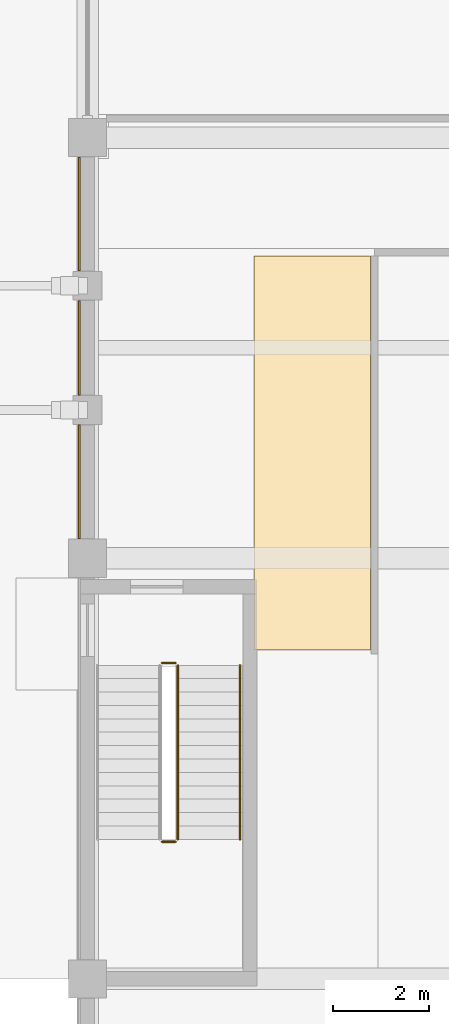
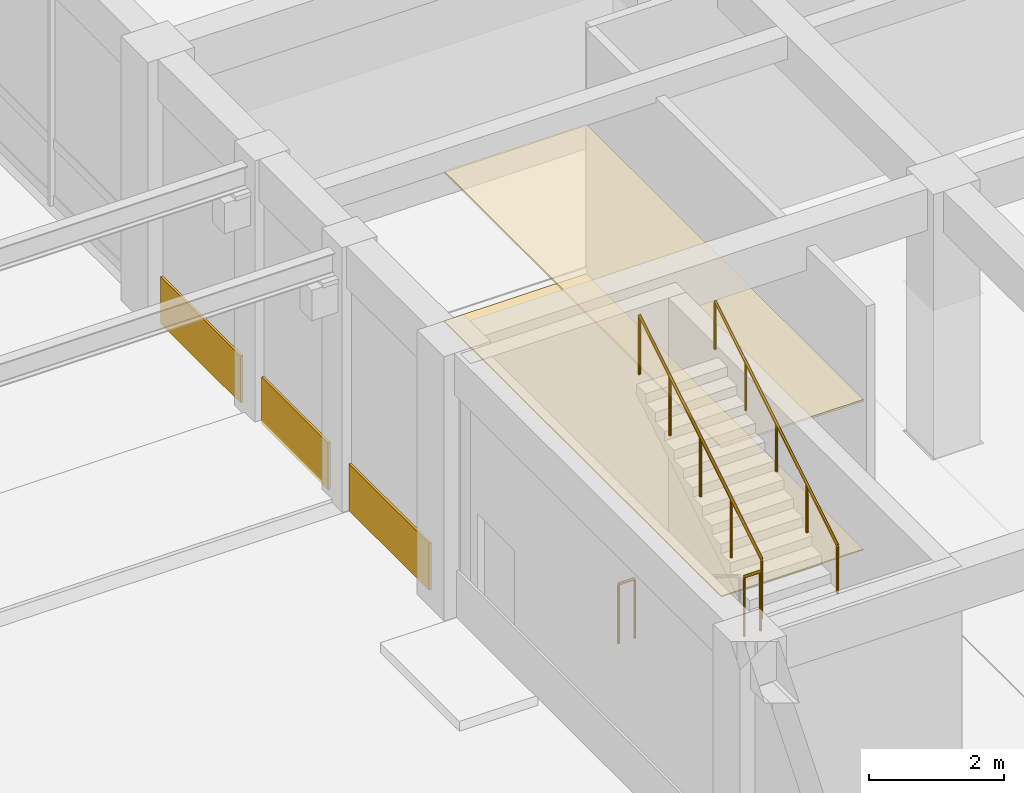
# One storey, part 54 of 58: 5 coverings, 4 railings.
"""IFC4 building model written with IfcOpenShell, lengths in metres."""

from ifc_helpers import new_model, si_unit, direction, frame, origin, origin_2d, place, context, subcontext, project, spatial, polyline, circle, outline, extrude, material, layer, layer_set, type_object, element, save


model = new_model("IFC4")

# Units and contexts
model_context = context("Model", 3, precision=1e-05, world=origin(), true_north=direction((0.0, 1.0)))
body_context = subcontext(model_context, "Body", "Model", "MODEL_VIEW")
ifc_project = project(units=[si_unit("LENGTHUNIT", "METRE"), si_unit("AREAUNIT", "SQUARE_METRE"), si_unit("VOLUMEUNIT", "CUBIC_METRE"), si_unit("PLANEANGLEUNIT", "RADIAN"), si_unit("MASSUNIT", "GRAM", prefix="KILO")], contexts=[model_context])

# Site, building, storey
site_placement = place(None, origin())
site = spatial("IfcSite", under=ifc_project, at=site_placement, CompositionType="ELEMENT")
building_placement = place(site_placement, origin())
building = spatial("IfcBuilding", under=site, at=building_placement, Name="Kemercrest Conservatory and Botanical Centre", CompositionType="ELEMENT")
storey_placement = place(building_placement, origin())
storey = spatial("IfcBuildingStorey", under=building, at=storey_placement, Name="L00", CompositionType="ELEMENT", Elevation=0.0)

# Coverings
ifc_material_1 = material(Name="Honed limestone almasik ashlar rainscreen", Category="masonry")
ifc_layer_1 = layer(ifc_material_1, 0.0400390625)
ifc_layer_set_1 = layer_set([ifc_layer_1], Name="Honed limestone almasik ashlar rainscreen")
covering_type_1 = type_object("IfcCoveringType", Name="CV-CLD040", PredefinedType="CLADDING", material=ifc_layer_set_1)
covering_1_placement = place(storey_placement, origin())
element("IfcCovering", 1, at=covering_1_placement, inside=storey, type_object=covering_type_1, Name="Exterior stone spandrel cladding (WAL:L00:EXT-171-S1)", PredefinedType="CLADDING", context=body_context, shape_type="SweptSolid", body=[
    extrude(outline(polyline([(125.449951171875, 104.389892578125), (125.409912109375, 104.389892578125), (125.409912109375, 102.010009765625), (125.449951171875, 102.010009765625), (125.449951171875, 104.389892578125)])), origin(), (0.0, 0.0, 1.0), 0.85009765625),
])
covering_2_placement = place(storey_placement, origin())
element("IfcCovering", 2, at=covering_2_placement, inside=storey, type_object=covering_type_1, Name="Exterior stone spandrel cladding (WAL:L00:EXT-171-S2)", PredefinedType="CLADDING", context=body_context, shape_type="SweptSolid", body=[
    extrude(outline(polyline([(125.449951171875, 101.389892578125), (125.409912109375, 101.389892578125), (125.409912109375, 99.409912109375), (125.449951171875, 99.409912109375), (125.449951171875, 101.389892578125)])), origin(), (0.0, 0.0, 1.0), 0.85009765625),
])
covering_3_placement = place(storey_placement, origin())
element("IfcCovering", 3, at=covering_3_placement, inside=storey, type_object=covering_type_1, Name="Exterior stone spandrel cladding (WAL:L00:EXT-171-S3)", PredefinedType="CLADDING", context=body_context, shape_type="SweptSolid", body=[
    extrude(outline(polyline([(125.449951171875, 98.7900390625), (125.409912109375, 98.7900390625), (125.409912109375, 96.409912109375), (125.449951171875, 96.409912109375), (125.449951171875, 98.7900390625)])), origin(), (0.0, 0.0, 1.0), 0.85009765625),
])
ifc_material_2 = material(Name="Perforated acoustic gypsum and mineral-fibre suspended ceiling", Category="gypsum")
ifc_layer_2 = layer(ifc_material_2, 0.034912109375)
ifc_layer_set_2 = layer_set([ifc_layer_2], Name="Perforated acoustic gypsum and mineral-fibre suspended ceiling")
covering_type_2 = type_object("IfcCoveringType", Name="CV-CLG035", PredefinedType="CEILING", material=ifc_layer_set_2)
covering_4_placement = place(storey_placement, frame((0.0, 0.0, 2.699951171875)))
element("IfcCovering", 4, at=covering_4_placement, inside=storey, type_object=covering_type_2, Name="West Stair Exit Lobby suspended acoustic ceiling", PredefinedType="CEILING", context=body_context, shape_type="SweptSolid", body=[
    extrude(outline(polyline([(129.080078125, 94.080078125), (131.52001953125, 94.080078125), (131.52001953125, 102.320068359375), (129.080078125, 102.320068359375), (129.080078125, 94.080078125)])), origin(), (0.0, 0.0, 1.0), 0.03515625),
])
ifc_material_3 = material(Name="Polished limestone terrazzo and seamless laboratory epoxy flooring", Category="masonry")
ifc_layer_3 = layer(ifc_material_3, 0.02001953125)
ifc_layer_set_3 = layer_set([ifc_layer_3], Name="Polished limestone terrazzo and seamless laboratory epoxy flooring")
covering_type_3 = type_object("IfcCoveringType", Name="CV-FLR020", PredefinedType="FLOORING", material=ifc_layer_set_3)
covering_5_placement = place(storey_placement, origin())
element("IfcCovering", 5, at=covering_5_placement, inside=storey, type_object=covering_type_3, Name="West Stair Exit Lobby floor finish", PredefinedType="FLOORING", context=body_context, shape_type="SweptSolid", body=[
    extrude(outline(polyline([(129.080078125, 94.080078125), (131.52001953125, 94.080078125), (131.52001953125, 102.320068359375), (129.080078125, 102.320068359375), (129.080078125, 94.080078125)])), origin(), (0.0, 0.0, 1.0), 0.02001953125),
])

# Railings
ifc_material_4 = material(Name="Painted galvanized steel tubular stair guardrail", Category="steel")
railing_type_1 = type_object("IfcRailingType", Name="GR-STR110", PredefinedType="GUARDRAIL", material=ifc_material_4)
railing_1_placement = place(storey_placement, frame((127.159912109375, 90.070068359375, 2.39990234375)))
element("IfcRailing", 6, at=railing_1_placement, inside=storey, type_object=railing_type_1, Name="L00 ST-V4C stair guard 2", PredefinedType="GUARDRAIL", context=body_context, shape_type="SweptSolid", body=[
    extrude(circle(Radius=0.02392578125, at=origin_2d()), frame((0.0, 0.0, 1.076171875), z_axis=(1.0, 0.0, 0.0), x_axis=(0.0, 1.0, 0.0)), (0.0, 0.0, 1.0), 0.280029296875),
    extrude(circle(Radius=0.02099609375, at=origin_2d()), origin(), (0.0, 0.0, 1.0), 1.052001953125),
    extrude(circle(Radius=0.02099609375, at=origin_2d()), frame((0.280029296875, 0.0, 0.0)), (0.0, 0.0, 1.0), 1.052001953125),
])
railing_2_placement = place(storey_placement, frame((127.489990234375, 90.1201171875, 2.571533203125)))
element("IfcRailing", 7, at=railing_2_placement, inside=storey, type_object=railing_type_1, Name="L00 ST-V4C stair guard 3", PredefinedType="GUARDRAIL", context=body_context, shape_type="SweptSolid", body=[
    extrude(circle(Radius=0.02392578125, at=origin_2d()), frame((0.0, 0.0, 1.076171875), z_axis=(0.0, 0.852850264322, 0.5221555579), x_axis=(-1.0, 0.0, 0.0)), (0.0, 0.0, 1.0), 4.267822265625),
    extrude(circle(Radius=0.02099609375, at=origin_2d()), origin(), (0.0, 0.0, 1.0), 1.052001953125),
    extrude(circle(Radius=0.02099609375, at=origin_2d()), frame((0.0, 0.909912109375, 0.55712890625)), (0.0, 0.0, 1.0), 1.052001953125),
    extrude(circle(Radius=0.02099609375, at=origin_2d()), frame((0.0, 1.81982421875, 1.1142578125)), (0.0, 0.0, 1.0), 1.052001953125),
    extrude(circle(Radius=0.02099609375, at=origin_2d()), frame((0.0, 2.72998046875, 1.67138671875)), (0.0, 0.0, 1.0), 1.052001953125),
    extrude(circle(Radius=0.02099609375, at=origin_2d()), frame((0.0, 3.639892578125, 2.228515625)), (0.0, 0.0, 1.0), 1.052001953125),
])
railing_3_placement = place(storey_placement, frame((127.159912109375, 93.81005859375, 0.0)))
element("IfcRailing", 8, at=railing_3_placement, inside=storey, type_object=railing_type_1, Name="L00 ST-V4C stair guard 4", PredefinedType="GUARDRAIL", context=body_context, shape_type="SweptSolid", body=[
    extrude(circle(Radius=0.02392578125, at=origin_2d()), frame((0.0, 0.0, 1.076171875), z_axis=(1.0, 0.0, 0.0), x_axis=(0.0, 1.0, 0.0)), (0.0, 0.0, 1.0), 0.280029296875),
    extrude(circle(Radius=0.02099609375, at=origin_2d()), origin(), (0.0, 0.0, 1.0), 1.052001953125),
    extrude(circle(Radius=0.02099609375, at=origin_2d()), frame((0.280029296875, 0.0, 0.0)), (0.0, 0.0, 1.0), 1.052001953125),
])
ifc_material_5 = material(Name="Brushed stainless steel wall-mounted handrail", Category="steel")
railing_type_2 = type_object("IfcRailingType", Name="HR-STR090", PredefinedType="HANDRAIL", material=ifc_material_5)
railing_4_placement = place(storey_placement, frame((128.7900390625, 90.1201171875, 2.571533203125)))
element("IfcRailing", 9, at=railing_4_placement, inside=storey, type_object=railing_type_2, Name="L00 ST-V4C stair handrail 2", PredefinedType="HANDRAIL", context=body_context, shape_type="SweptSolid", body=[
    extrude(circle(Radius=0.02392578125, at=origin_2d()), frame((0.0, 0.0, 0.8759765625), z_axis=(0.0, 0.852850264322, 0.5221555579), x_axis=(-1.0, 0.0, 0.0)), (0.0, 0.0, 1.0), 4.267822265625),
    extrude(circle(Radius=0.02099609375, at=origin_2d()), origin(), (0.0, 0.0, 1.0), 0.851806640625),
    extrude(circle(Radius=0.02099609375, at=origin_2d()), frame((0.0, 0.909912109375, 0.55712890625)), (0.0, 0.0, 1.0), 0.851806640625),
    extrude(circle(Radius=0.02099609375, at=origin_2d()), frame((0.0, 1.81982421875, 1.1142578125)), (0.0, 0.0, 1.0), 0.851806640625),
    extrude(circle(Radius=0.02099609375, at=origin_2d()), frame((0.0, 2.72998046875, 1.67138671875)), (0.0, 0.0, 1.0), 0.851806640625),
    extrude(circle(Radius=0.02099609375, at=origin_2d()), frame((0.0, 3.639892578125, 2.228515625)), (0.0, 0.0, 1.0), 0.851806640625),
])

save(model, "model.ifc")
